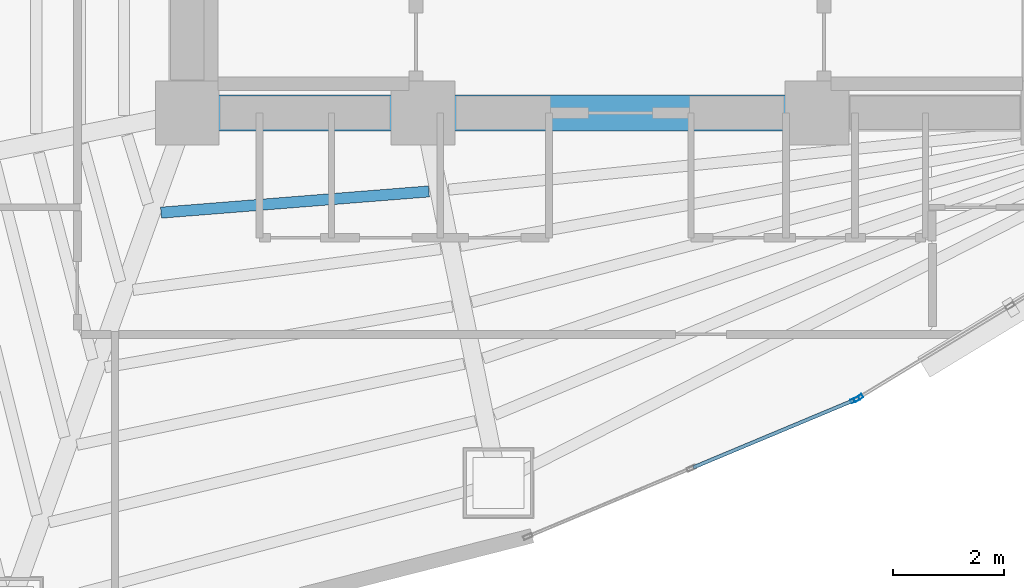
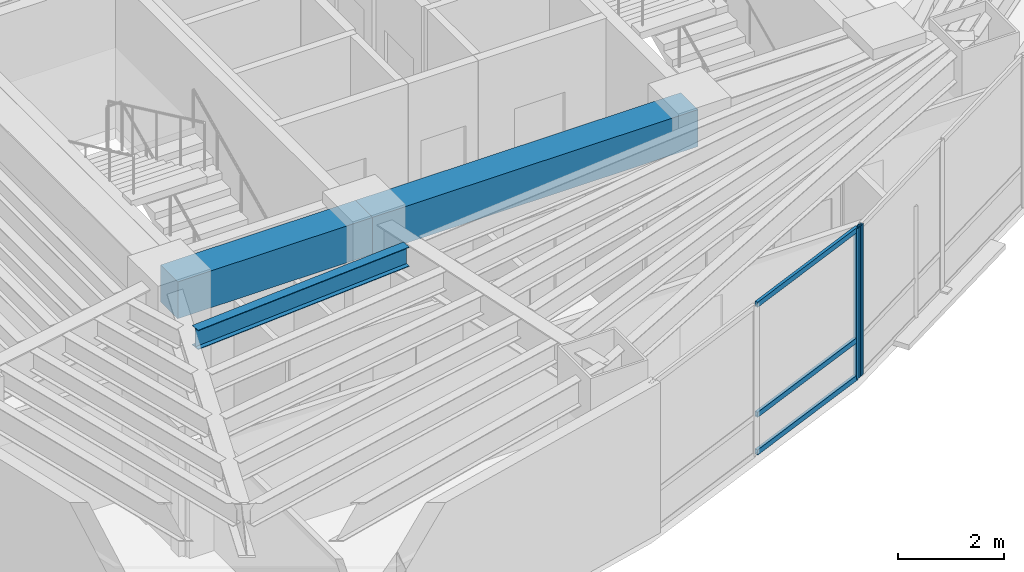
# One storey, part 4 of 16: 5 members, 3 beams, 2 elements without a shape of their own.
"""IFC4 building model written with IfcOpenShell, lengths in metres."""

import ifcopenshell
import ifcopenshell.guid

model = None  # the IFC model being written
_history = None  # IfcOwnerHistory: only IFC2X3 demands one
_inside = {}  # id of a spatial element -> (the spatial element, [elements in it])
_under = {}  # id of a project, library or spatial element -> (it, [spatial elements below it])
_declared = {}  # id of a project -> (the project, [libraries it declares])
_typed = {}  # id of a type object -> (the type object, [elements of that type])
_made_of = {}  # id of a material, layer set ... -> (it, [elements and type objects made of it])


def new_model(schema):
    """Start an empty IFC model of exactly this schema.

    Asked for "IFC4X3", IfcOpenShell would pick the latest addendum, in which some entities
    have other attributes; the version numbers below select the first issue.
    IFC2X3 requires an IfcOwnerHistory on every rooted entity: one is made here for all.
    """
    global model, _history
    if schema == "IFC4X3":
        model = ifcopenshell.file(schema_version=(4, 3, 0, 0))
    else:
        model = ifcopenshell.file(schema=schema)
    _inside.clear()
    _under.clear()
    _declared.clear()
    _typed.clear()
    _made_of.clear()
    _history = None
    if model.schema == "IFC2X3":
        org = make("IfcOrganization", Name="unknown")
        user = make(
            "IfcPersonAndOrganization",
            ThePerson=make("IfcPerson", FamilyName="unknown"),
            TheOrganization=org,
        )
        app = make(
            "IfcApplication",
            ApplicationDeveloper=org,
            Version="unknown",
            ApplicationFullName="unknown",
            ApplicationIdentifier="unknown",
        )
        _history = make(
            "IfcOwnerHistory",
            OwningUser=user,
            OwningApplication=app,
            ChangeAction="ADDED",
            CreationDate=0,
        )
    return model


def make(cls, **values):
    """One entity of the class cls with the attributes given. An attribute that is None is left unset."""
    return model.create_entity(
        cls, **{name: value for name, value in values.items() if value is not None}
    )


def rooted(cls, **values):
    """An entity with a GlobalId (a new one), such as an element, a storey or a relation."""
    return make(cls, GlobalId=ifcopenshell.guid.new(), OwnerHistory=_history, **values)


def si_unit(unit_type, name, prefix=None):
    """IfcSIUnit, for example si_unit("LENGTHUNIT", "METRE", prefix="MILLI")."""
    return make("IfcSIUnit", UnitType=unit_type, Prefix=prefix, Name=name)


def assignment(units):
    """IfcUnitAssignment: the units of a project."""
    return None if units is None else make("IfcUnitAssignment", Units=units)


def point(xyz):
    """IfcCartesianPoint."""
    return None if xyz is None else make("IfcCartesianPoint", Coordinates=xyz)


def direction(xyz):
    """IfcDirection."""
    return None if xyz is None else make("IfcDirection", DirectionRatios=xyz)


def frame(location, z_axis=None, x_axis=None):
    """IfcAxis2Placement3D, a coordinate frame: its origin and axes. An axis left out is left unset."""
    return make(
        "IfcAxis2Placement3D",
        Location=point(location),
        Axis=direction(z_axis),
        RefDirection=direction(x_axis),
    )


def frame_2d(location, x_axis=None):
    """IfcAxis2Placement2D, a coordinate frame in the plane: its origin and x axis."""
    return make(
        "IfcAxis2Placement2D", Location=point(location), RefDirection=direction(x_axis)
    )


def origin():
    """The frame at (0, 0, 0) with its axes left unset."""
    return frame((0.0, 0.0, 0.0))


def origin_2d():
    """The frame at (0, 0) in the plane with its x axis left unset."""
    return frame_2d((0.0, 0.0))


def place(relative_to, where):
    """IfcLocalPlacement: puts the frame where relative to a parent placement (None: the world)."""
    return make(
        "IfcLocalPlacement", PlacementRelTo=relative_to, RelativePlacement=where
    )


def context(
    kind, dimensions, precision=None, world=None, true_north=None, identifier=None
):
    """IfcGeometricRepresentationContext, for example the 3D "Model" context."""
    return make(
        "IfcGeometricRepresentationContext",
        ContextIdentifier=identifier,
        ContextType=kind,
        CoordinateSpaceDimension=dimensions,
        Precision=precision,
        WorldCoordinateSystem=world,
        TrueNorth=true_north,
    )


def subcontext(parent, identifier, kind, view, scale=None):
    """IfcGeometricRepresentationSubContext, for example "Body" below "Model"."""
    return make(
        "IfcGeometricRepresentationSubContext",
        ContextIdentifier=identifier,
        ContextType=kind,
        ParentContext=parent,
        TargetScale=scale,
        TargetView=view,
    )


def project(units=None, contexts=None):
    """IfcProject with its units and contexts."""
    return rooted(
        "IfcProject",
        Name="project",
        RepresentationContexts=contexts,
        UnitsInContext=assignment(units),
    )


def spatial(cls, under=None, at=None, **own):
    """A site, building, storey or space (cls), placed at a placement, below another one or the project."""
    s = rooted(cls, ObjectPlacement=at, **own)
    if under is not None:
        _under.setdefault(under.id(), (under, []))[1].append(s)
    return s


def profile(cls, at=None, kind="AREA", **sizes):
    """A parametric profile (cls). Its sizes go by their IFC names, for example OverallWidth=200.0."""
    return make(cls, ProfileType=kind, Position=at, **sizes)


def rectangle(**sizes):
    """IfcRectangleProfileDef."""
    return profile("IfcRectangleProfileDef", **sizes)


def hollow_rectangle(**sizes):
    """IfcRectangleHollowProfileDef."""
    return profile("IfcRectangleHollowProfileDef", **sizes)


def i_section(**sizes):
    """IfcIShapeProfileDef."""
    return profile("IfcIShapeProfileDef", **sizes)


def extrude(swept, where, along, depth):
    """IfcExtrudedAreaSolid: the profile swept, set in the frame where, extruded along a direction by depth."""
    return make(
        "IfcExtrudedAreaSolid",
        SweptArea=swept,
        Position=where,
        ExtrudedDirection=direction(along),
        Depth=depth,
    )


def shape(context_of_items, identifier, shape_type, items):
    """IfcShapeRepresentation: the items that make up one representation, for example the "Body"."""
    return make(
        "IfcShapeRepresentation",
        ContextOfItems=context_of_items,
        RepresentationIdentifier=identifier,
        RepresentationType=shape_type,
        Items=items,
    )


def material(Name=None, Category=None):
    """IfcMaterial."""
    return make("IfcMaterial", Name=Name, Category=Category)


def layer(
    of_material, thickness, ventilated=None, Name=None, Category=None, Priority=None
):
    """IfcMaterialLayer: one layer of a wall or slab, of a material (None: an air gap)."""
    return make(
        "IfcMaterialLayer",
        Material=of_material,
        LayerThickness=thickness,
        IsVentilated=ventilated,
        Name=Name,
        Category=Category,
        Priority=Priority,
    )


def layer_set(layers, Name=None):
    """IfcMaterialLayerSet."""
    return make("IfcMaterialLayerSet", MaterialLayers=layers, LayerSetName=Name)


def material_profile(
    of_material, cross_section, Name=None, Category=None, Priority=None
):
    """IfcMaterialProfile: a cross section and its material."""
    return make(
        "IfcMaterialProfile",
        Name=Name,
        Material=of_material,
        Profile=cross_section,
        Priority=Priority,
        Category=Category,
    )


def profile_set(profiles, Name=None, composite=None):
    """IfcMaterialProfileSet."""
    return make(
        "IfcMaterialProfileSet",
        Name=Name,
        MaterialProfiles=profiles,
        CompositeProfile=composite,
    )


def made_of(thing, what):
    """Note that an element or type object is made of a material, layer set ...; save() writes the relation."""
    if what is not None:
        _made_of.setdefault(what.id(), (what, []))[1].append(thing)
    return thing


def type_object(cls, material=None, **own):
    """A type object (cls), such as IfcWallType, which elements share."""
    return made_of(rooted(cls, **own), material)


def element(
    cls,
    number,
    at=None,
    inside=None,
    cuts=None,
    type_object=None,
    material=None,
    context=None,
    identifier="Body",
    shape_type=None,
    held_by="IfcProductDefinitionShape",
    body=None,
    shapes=None,
    **own,
):
    """One element of the class cls, such as IfcWall. Its Tag is "e" and its number.

    at: its placement. inside: the storey or other place that contains it. cuts: it is an
    opening in that element (IfcRelVoidsElement). A single representation is given by context,
    identifier, shape_type and body (its items); several are given by shapes. held_by: the class
    of the entity that holds the representations. save() writes the other relations.
    """
    e = rooted(cls, Tag="e%d" % number, ObjectPlacement=at, **own)
    if body is not None:
        shapes = [shape(context, identifier, shape_type, body)]
    if shapes is not None:
        e.Representation = make(held_by, Representations=shapes)
    if inside is not None:
        _inside.setdefault(inside.id(), (inside, []))[1].append(e)
    if cuts is not None:
        rooted(
            "IfcRelVoidsElement", RelatingBuildingElement=cuts, RelatedOpeningElement=e
        )
    if type_object is not None:
        _typed.setdefault(type_object.id(), (type_object, []))[1].append(e)
    return made_of(e, material)


def aggregate(whole, parts):
    """IfcRelAggregates: a whole, such as a stair, and the parts it consists of."""
    return rooted("IfcRelAggregates", RelatingObject=whole, RelatedObjects=parts)


def save(model, path):
    """Write the relations noted so far, then the file.

    IfcRelAggregates (storeys below a building ...), IfcRelContainedInSpatialStructure (elements
    in a storey), IfcRelDefinesByType, IfcRelAssociatesMaterial and IfcRelDeclares: one each for
    every whole, place, type object, material and project.
    """
    for whole, parts in _under.values():
        aggregate(whole, parts)
    for where, things in _inside.values():
        rooted(
            "IfcRelContainedInSpatialStructure",
            RelatedElements=things,
            RelatingStructure=where,
        )
    for kind, things in _typed.values():
        rooted("IfcRelDefinesByType", RelatedObjects=things, RelatingType=kind)
    for what, things in _made_of.values():
        rooted("IfcRelAssociatesMaterial", RelatedObjects=things, RelatingMaterial=what)
    for by, libraries in _declared.values():
        rooted("IfcRelDeclares", RelatingContext=by, RelatedDefinitions=libraries)
    model.write(path)


model = new_model("IFC4")

# Units and contexts
model_context = context("Model", 3, precision=1e-05, world=origin(), true_north=direction((0.0, 1.0)))
body_context = subcontext(model_context, "Body", "Model", "MODEL_VIEW")
ifc_project = project(units=[si_unit("LENGTHUNIT", "METRE"), si_unit("AREAUNIT", "SQUARE_METRE"), si_unit("VOLUMEUNIT", "CUBIC_METRE"), si_unit("PLANEANGLEUNIT", "RADIAN"), si_unit("MASSUNIT", "GRAM", prefix="KILO")], contexts=[model_context])

# Site, building, storey
site_placement = place(None, origin())
site = spatial("IfcSite", under=ifc_project, at=site_placement, CompositionType="ELEMENT")
building_placement = place(site_placement, origin())
building = spatial("IfcBuilding", under=site, at=building_placement, Name="Menara Vayukalpa", CompositionType="ELEMENT")
storey_placement = place(building_placement, frame((0.0, 0.0, 72.239990234375)))
storey = spatial("IfcBuildingStorey", under=building, at=storey_placement, Name="L17", CompositionType="ELEMENT", Elevation=72.239990234375)

# Beams
ifc_material_1 = material(Name="Concrete C60/75", Category="concrete")
ifc_material_profile_1 = material_profile(ifc_material_1, rectangle(XDim=0.64990234375, YDim=0.85009765625, at=origin_2d()), Name="RC 650x850")
ifc_profile_set_1 = profile_set([ifc_material_profile_1], Name="Concrete C60/75")
beam_type_1 = type_object("IfcBeamType", Name="BM-CB1", PredefinedType="BEAM", material=ifc_profile_set_1)
beam_1_placement = place(storey_placement, frame((17.800048828125, 17.199951171875, 3.044921875), z_axis=(1.0, 0.0, 0.0), x_axis=(0.0, 1.0, 0.0)))
element("IfcBeam", 1, at=beam_1_placement, inside=storey, type_object=beam_type_1, Name="L17 Core Tie Beam CBR1", PredefinedType="BEAM", context=body_context, shape_type="SweptSolid", body=[
    extrude(rectangle(XDim=0.64990234375, YDim=0.85009765625, at=origin_2d()), origin(), (0.0, 0.0, 1.0), 4.25),
])
beam_2_placement = place(storey_placement, frame((22.050048828125, 17.199951171875, 3.044921875), z_axis=(1.0, 0.0, 0.0), x_axis=(0.0, 1.0, 0.0)))
element("IfcBeam", 2, at=beam_2_placement, inside=storey, type_object=beam_type_1, Name="L17 Core Tie Beam CBR2", PredefinedType="BEAM", context=body_context, shape_type="SweptSolid", body=[
    extrude(rectangle(XDim=0.64990234375, YDim=0.85009765625, at=origin_2d()), origin(), (0.0, 0.0, 1.0), 7.099853515625),
])
ifc_material_2 = material(Name="Steel S355", Category="steel")
ifc_material_profile_2 = material_profile(ifc_material_2, i_section(OverallWidth=0.199951171875, OverallDepth=0.449951171875, WebThickness=0.009033203125, FlangeThickness=0.013916015625, at=origin_2d()), Name="WF 450x200x9x14")
ifc_profile_set_2 = profile_set([ifc_material_profile_2], Name="Steel S355")
beam_type_2 = type_object("IfcBeamType", Name="BM-SJ1", PredefinedType="JOIST", material=ifc_profile_set_2)
beam_3_placement = place(storey_placement, frame((17.32861328125, 15.40185546875, 3.2451171875), z_axis=(0.996870502758, 0.079051886326, 0.0), x_axis=(-0.079051886326, 0.996870502758, 0.0)))
element("IfcBeam", 3, at=beam_3_placement, inside=storey, type_object=beam_type_2, Name="L17 Secondary Floor Joist SJ07-1", PredefinedType="JOIST", context=body_context, shape_type="SweptSolid", body=[
    extrude(i_section(OverallWidth=0.199951171875, OverallDepth=0.449951171875, WebThickness=0.009033203125, FlangeThickness=0.013916015625, at=origin_2d()), origin(), (0.0, 0.0, 1.0), 4.842529296875),
])

# Curtain wall, member
ifc_material_3 = material(Name="Anodised Terracotta Aluminium Alloy 6063-T6", Category="masonry")
ifc_layer = layer(ifc_material_3, 0.1650390625)
ifc_layer_set = layer_set([ifc_layer], Name="Anodised Terracotta Aluminium Alloy 6063-T6")
curtain_wall_type = type_object("IfcCurtainWallType", Name="CW-CW2", PredefinedType="USERDEFINED", material=ifc_layer_set)
curtain_wall_1_placement = place(storey_placement, origin())
curtain_wall_1 = element("IfcCurtainWall", 4, at=curtain_wall_1_placement, inside=storey, type_object=curtain_wall_type, Name="L17 Low Rise Terracotta Ribbon Curtain Wall CW2 16", ObjectType="UNITISED", PredefinedType="USERDEFINED")
ifc_material_4 = material(Name="Anodised Terracotta Aluminium Alloy 6063-T6", Category="masonry")
ifc_material_profile_3 = material_profile(ifc_material_4, hollow_rectangle(XDim=0.070068359375, YDim=0.1650390625, WallThickness=0.00390625, at=origin_2d()), Name="ALU 70x165x4")
ifc_profile_set_3 = profile_set([ifc_material_profile_3], Name="Anodised Terracotta Aluminium Alloy 6063-T6")
member_type_1 = type_object("IfcMemberType", Name="CWM-CW2", PredefinedType="MULLION", material=ifc_profile_set_3)
member_1_placement = place(storey_placement, frame((29.83349609375, 12.03125, 0.0), z_axis=(0.0, 0.0, 1.0), x_axis=(-0.38589358437, 0.922543300632, 0.0)))
member_1 = element("IfcMember", 5, at=member_1_placement, type_object=member_type_1, Name="CW2 mullion 3", PredefinedType="MULLION", context=body_context, shape_type="SweptSolid", body=[
    extrude(hollow_rectangle(XDim=0.070068359375, YDim=0.1650390625, WallThickness=0.00390625, at=origin_2d()), origin(), (0.0, 0.0, 1.0), 3.469970703125),
])

curtain_wall_2_placement = place(storey_placement, origin())
curtain_wall_2 = element("IfcCurtainWall", 6, at=curtain_wall_2_placement, inside=storey, type_object=curtain_wall_type, Name="L17 Low Rise Terracotta Ribbon Curtain Wall CW2 17", ObjectType="UNITISED", PredefinedType="USERDEFINED")
member_2_placement = place(storey_placement, frame((29.895751953125, 12.06298828125, 0.0), z_axis=(0.0, 0.0, 1.0), x_axis=(-0.519182959112, 0.854663123674, 0.0)))
member_2 = element("IfcMember", 7, at=member_2_placement, type_object=member_type_1, Name="CW2 mullion 1", PredefinedType="MULLION", context=body_context, shape_type="SweptSolid", body=[
    extrude(hollow_rectangle(XDim=0.070068359375, YDim=0.1650390625, WallThickness=0.00390625, at=origin_2d()), origin(), (0.0, 0.0, 1.0), 3.469970703125),
])
aggregate(curtain_wall_2, [member_2])

# Member
ifc_material_5 = material(Name="Anodised Terracotta Aluminium Alloy 6063-T6", Category="masonry")
ifc_material_profile_4 = material_profile(ifc_material_5, hollow_rectangle(XDim=0.06494140625, YDim=0.1201171875, WallThickness=0.00341796875, at=origin_2d()), Name="ALU 65x120x3.5")
ifc_profile_set_4 = profile_set([ifc_material_profile_4], Name="Anodised Terracotta Aluminium Alloy 6063-T6")
member_type_2 = type_object("IfcMemberType", Name="CWT-CW2", PredefinedType="USERDEFINED", material=ifc_profile_set_4)
member_3_placement = place(storey_placement, frame((26.9189453125, 10.81201171875, 0.032470703125), z_axis=(0.922525759021, 0.385935517856, 0.0), x_axis=(-0.385935517856, 0.922525759021, 0.0)))
member_3 = element("IfcMember", 8, at=member_3_placement, type_object=member_type_2, Name="CW2 transom 2.1", ObjectType="TRANSOM", PredefinedType="USERDEFINED", context=body_context, shape_type="SweptSolid", body=[
    extrude(hollow_rectangle(XDim=0.06494140625, YDim=0.1201171875, WallThickness=0.00341796875, at=origin_2d()), origin(), (0.0, 0.0, 1.0), 3.124267578125),
])

member_4_placement = place(storey_placement, frame((26.9189453125, 10.81201171875, 0.89990234375), z_axis=(0.922525759021, 0.385935517856, 0.0), x_axis=(-0.385935517856, 0.922525759021, 0.0)))
member_4 = element("IfcMember", 9, at=member_4_placement, type_object=member_type_2, Name="CW2 transom 2.2", ObjectType="TRANSOM", PredefinedType="USERDEFINED", context=body_context, shape_type="SweptSolid", body=[
    extrude(hollow_rectangle(XDim=0.06494140625, YDim=0.1201171875, WallThickness=0.00341796875, at=origin_2d()), origin(), (0.0, 0.0, 1.0), 3.124267578125),
])

member_5_placement = place(storey_placement, frame((26.9189453125, 10.81201171875, 3.4375), z_axis=(0.922525759021, 0.385935517856, 0.0), x_axis=(-0.385935517856, 0.922525759021, 0.0)))
member_5 = element("IfcMember", 10, at=member_5_placement, type_object=member_type_2, Name="CW2 transom 2.3", ObjectType="TRANSOM", PredefinedType="USERDEFINED", context=body_context, shape_type="SweptSolid", body=[
    extrude(hollow_rectangle(XDim=0.06494140625, YDim=0.1201171875, WallThickness=0.00341796875, at=origin_2d()), origin(), (0.0, 0.0, 1.0), 3.124267578125),
])

aggregate(curtain_wall_1, [member_1, member_3, member_4, member_5])

save(model, "model.ifc")
